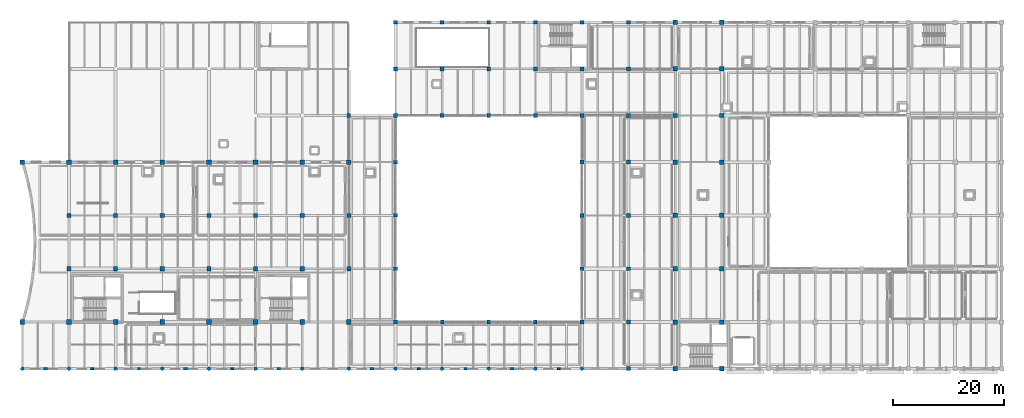
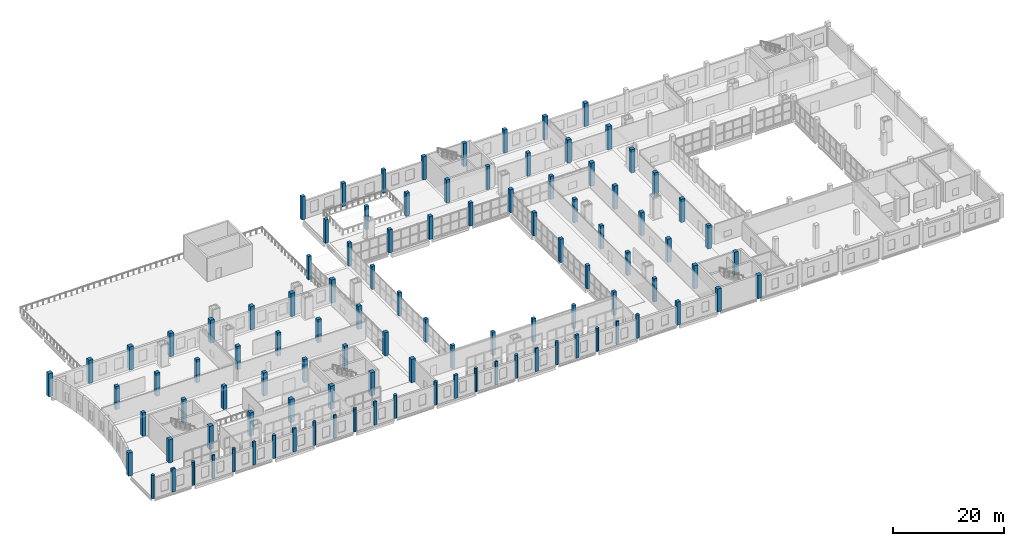
# One storey, part 1 of 73: 105 columns.
"""IFC4 building model written with IfcOpenShell, lengths in metres."""

import ifcopenshell
import ifcopenshell.guid

model = None  # the IFC model being written
_history = None  # IfcOwnerHistory: only IFC2X3 demands one
_inside = {}  # id of a spatial element -> (the spatial element, [elements in it])
_under = {}  # id of a project, library or spatial element -> (it, [spatial elements below it])
_declared = {}  # id of a project -> (the project, [libraries it declares])
_typed = {}  # id of a type object -> (the type object, [elements of that type])
_made_of = {}  # id of a material, layer set ... -> (it, [elements and type objects made of it])


def new_model(schema):
    """Start an empty IFC model of exactly this schema.

    Asked for "IFC4X3", IfcOpenShell would pick the latest addendum, in which some entities
    have other attributes; the version numbers below select the first issue.
    IFC2X3 requires an IfcOwnerHistory on every rooted entity: one is made here for all.
    """
    global model, _history
    if schema == "IFC4X3":
        model = ifcopenshell.file(schema_version=(4, 3, 0, 0))
    else:
        model = ifcopenshell.file(schema=schema)
    _inside.clear()
    _under.clear()
    _declared.clear()
    _typed.clear()
    _made_of.clear()
    _history = None
    if model.schema == "IFC2X3":
        org = make("IfcOrganization", Name="unknown")
        user = make(
            "IfcPersonAndOrganization",
            ThePerson=make("IfcPerson", FamilyName="unknown"),
            TheOrganization=org,
        )
        app = make(
            "IfcApplication",
            ApplicationDeveloper=org,
            Version="unknown",
            ApplicationFullName="unknown",
            ApplicationIdentifier="unknown",
        )
        _history = make(
            "IfcOwnerHistory",
            OwningUser=user,
            OwningApplication=app,
            ChangeAction="ADDED",
            CreationDate=0,
        )
    return model


def make(cls, **values):
    """One entity of the class cls with the attributes given. An attribute that is None is left unset."""
    return model.create_entity(
        cls, **{name: value for name, value in values.items() if value is not None}
    )


def rooted(cls, **values):
    """An entity with a GlobalId (a new one), such as an element, a storey or a relation."""
    return make(cls, GlobalId=ifcopenshell.guid.new(), OwnerHistory=_history, **values)


def si_unit(unit_type, name, prefix=None):
    """IfcSIUnit, for example si_unit("LENGTHUNIT", "METRE", prefix="MILLI")."""
    return make("IfcSIUnit", UnitType=unit_type, Prefix=prefix, Name=name)


def assignment(units):
    """IfcUnitAssignment: the units of a project."""
    return None if units is None else make("IfcUnitAssignment", Units=units)


def point(xyz):
    """IfcCartesianPoint."""
    return None if xyz is None else make("IfcCartesianPoint", Coordinates=xyz)


def direction(xyz):
    """IfcDirection."""
    return None if xyz is None else make("IfcDirection", DirectionRatios=xyz)


def frame(location, z_axis=None, x_axis=None):
    """IfcAxis2Placement3D, a coordinate frame: its origin and axes. An axis left out is left unset."""
    return make(
        "IfcAxis2Placement3D",
        Location=point(location),
        Axis=direction(z_axis),
        RefDirection=direction(x_axis),
    )


def frame_2d(location, x_axis=None):
    """IfcAxis2Placement2D, a coordinate frame in the plane: its origin and x axis."""
    return make(
        "IfcAxis2Placement2D", Location=point(location), RefDirection=direction(x_axis)
    )


def origin():
    """The frame at (0, 0, 0) with its axes left unset."""
    return frame((0.0, 0.0, 0.0))


def origin_2d():
    """The frame at (0, 0) in the plane with its x axis left unset."""
    return frame_2d((0.0, 0.0))


def place(relative_to, where):
    """IfcLocalPlacement: puts the frame where relative to a parent placement (None: the world)."""
    return make(
        "IfcLocalPlacement", PlacementRelTo=relative_to, RelativePlacement=where
    )


def context(
    kind, dimensions, precision=None, world=None, true_north=None, identifier=None
):
    """IfcGeometricRepresentationContext, for example the 3D "Model" context."""
    return make(
        "IfcGeometricRepresentationContext",
        ContextIdentifier=identifier,
        ContextType=kind,
        CoordinateSpaceDimension=dimensions,
        Precision=precision,
        WorldCoordinateSystem=world,
        TrueNorth=true_north,
    )


def subcontext(parent, identifier, kind, view, scale=None):
    """IfcGeometricRepresentationSubContext, for example "Body" below "Model"."""
    return make(
        "IfcGeometricRepresentationSubContext",
        ContextIdentifier=identifier,
        ContextType=kind,
        ParentContext=parent,
        TargetScale=scale,
        TargetView=view,
    )


def project(units=None, contexts=None):
    """IfcProject with its units and contexts."""
    return rooted(
        "IfcProject",
        Name="project",
        RepresentationContexts=contexts,
        UnitsInContext=assignment(units),
    )


def spatial(cls, under=None, at=None, **own):
    """A site, building, storey or space (cls), placed at a placement, below another one or the project."""
    s = rooted(cls, ObjectPlacement=at, **own)
    if under is not None:
        _under.setdefault(under.id(), (under, []))[1].append(s)
    return s


def profile(cls, at=None, kind="AREA", **sizes):
    """A parametric profile (cls). Its sizes go by their IFC names, for example OverallWidth=200.0."""
    return make(cls, ProfileType=kind, Position=at, **sizes)


def rectangle(**sizes):
    """IfcRectangleProfileDef."""
    return profile("IfcRectangleProfileDef", **sizes)


def circle(**sizes):
    """IfcCircleProfileDef."""
    return profile("IfcCircleProfileDef", **sizes)


def extrude(swept, where, along, depth):
    """IfcExtrudedAreaSolid: the profile swept, set in the frame where, extruded along a direction by depth."""
    return make(
        "IfcExtrudedAreaSolid",
        SweptArea=swept,
        Position=where,
        ExtrudedDirection=direction(along),
        Depth=depth,
    )


def shape(context_of_items, identifier, shape_type, items):
    """IfcShapeRepresentation: the items that make up one representation, for example the "Body"."""
    return make(
        "IfcShapeRepresentation",
        ContextOfItems=context_of_items,
        RepresentationIdentifier=identifier,
        RepresentationType=shape_type,
        Items=items,
    )


def material(Name=None, Category=None):
    """IfcMaterial."""
    return make("IfcMaterial", Name=Name, Category=Category)


def material_profile(
    of_material, cross_section, Name=None, Category=None, Priority=None
):
    """IfcMaterialProfile: a cross section and its material."""
    return make(
        "IfcMaterialProfile",
        Name=Name,
        Material=of_material,
        Profile=cross_section,
        Priority=Priority,
        Category=Category,
    )


def profile_set(profiles, Name=None, composite=None):
    """IfcMaterialProfileSet."""
    return make(
        "IfcMaterialProfileSet",
        Name=Name,
        MaterialProfiles=profiles,
        CompositeProfile=composite,
    )


def made_of(thing, what):
    """Note that an element or type object is made of a material, layer set ...; save() writes the relation."""
    if what is not None:
        _made_of.setdefault(what.id(), (what, []))[1].append(thing)
    return thing


def type_object(cls, material=None, **own):
    """A type object (cls), such as IfcWallType, which elements share."""
    return made_of(rooted(cls, **own), material)


def element(
    cls,
    number,
    at=None,
    inside=None,
    cuts=None,
    type_object=None,
    material=None,
    context=None,
    identifier="Body",
    shape_type=None,
    held_by="IfcProductDefinitionShape",
    body=None,
    shapes=None,
    **own,
):
    """One element of the class cls, such as IfcWall. Its Tag is "e" and its number.

    at: its placement. inside: the storey or other place that contains it. cuts: it is an
    opening in that element (IfcRelVoidsElement). A single representation is given by context,
    identifier, shape_type and body (its items); several are given by shapes. held_by: the class
    of the entity that holds the representations. save() writes the other relations.
    """
    e = rooted(cls, Tag="e%d" % number, ObjectPlacement=at, **own)
    if body is not None:
        shapes = [shape(context, identifier, shape_type, body)]
    if shapes is not None:
        e.Representation = make(held_by, Representations=shapes)
    if inside is not None:
        _inside.setdefault(inside.id(), (inside, []))[1].append(e)
    if cuts is not None:
        rooted(
            "IfcRelVoidsElement", RelatingBuildingElement=cuts, RelatedOpeningElement=e
        )
    if type_object is not None:
        _typed.setdefault(type_object.id(), (type_object, []))[1].append(e)
    return made_of(e, material)


def aggregate(whole, parts):
    """IfcRelAggregates: a whole, such as a stair, and the parts it consists of."""
    return rooted("IfcRelAggregates", RelatingObject=whole, RelatedObjects=parts)


def save(model, path):
    """Write the relations noted so far, then the file.

    IfcRelAggregates (storeys below a building ...), IfcRelContainedInSpatialStructure (elements
    in a storey), IfcRelDefinesByType, IfcRelAssociatesMaterial and IfcRelDeclares: one each for
    every whole, place, type object, material and project.
    """
    for whole, parts in _under.values():
        aggregate(whole, parts)
    for where, things in _inside.values():
        rooted(
            "IfcRelContainedInSpatialStructure",
            RelatedElements=things,
            RelatingStructure=where,
        )
    for kind, things in _typed.values():
        rooted("IfcRelDefinesByType", RelatedObjects=things, RelatingType=kind)
    for what, things in _made_of.values():
        rooted("IfcRelAssociatesMaterial", RelatedObjects=things, RelatingMaterial=what)
    for by, libraries in _declared.values():
        rooted("IfcRelDeclares", RelatingContext=by, RelatedDefinitions=libraries)
    model.write(path)


model = new_model("IFC4")

# Units and contexts
model_context = context("Model", 3, precision=1e-05, world=origin(), true_north=direction((0.0, 1.0)))
body_context = subcontext(model_context, "Body", "Model", "MODEL_VIEW")
ifc_project = project(units=[si_unit("LENGTHUNIT", "METRE"), si_unit("AREAUNIT", "SQUARE_METRE"), si_unit("VOLUMEUNIT", "CUBIC_METRE"), si_unit("PLANEANGLEUNIT", "RADIAN"), si_unit("MASSUNIT", "GRAM", prefix="KILO")], contexts=[model_context])

# Site, building, storey
site_placement = place(None, origin())
site = spatial("IfcSite", under=ifc_project, at=site_placement, CompositionType="ELEMENT")
building_placement = place(site_placement, origin())
building = spatial("IfcBuilding", under=site, at=building_placement, Name="Zulmaris Art Gallery", CompositionType="ELEMENT")
storey_placement = place(building_placement, frame((0.0, 0.0, 10.5)))
storey = spatial("IfcBuildingStorey", under=building, at=storey_placement, Name="L02", CompositionType="ELEMENT", Elevation=10.5)

# Columns
ifc_material_1 = material(Name="Concrete C40/50", Category="concrete")
ifc_material_profile_1 = material_profile(ifc_material_1, circle(Radius=0.324951171875, at=origin_2d()), Name="COL DIA 650")
ifc_profile_set_1 = profile_set([ifc_material_profile_1], Name="Concrete C40/50")
column_type_1 = type_object("IfcColumnType", Name="COL-COL-DIA-650", PredefinedType="COLUMN", material=ifc_profile_set_1)
for number, where, z_axis, x_axis, name in (
    (1, (24.0, 13.199951171875, 0.0), (0.0, 0.0, 1.0), (1.0, 0.0, 0.0), "L02 structural column (24.0, 13.2)"),
    (2, (32.39990234375, 13.199951171875, 0.0), (0.0, 0.0, 1.0), (1.0, 0.0, 0.0), "L02 structural column (32.4, 13.2)"),
    (3, (40.800048828125, 13.199951171875, 0.0), (0.0, 0.0, 1.0), (1.0, 0.0, 0.0), "L02 structural column (40.8, 13.2)"),
    (4, (49.199951171875, 13.199951171875, 0.0), (0.0, 0.0, 1.0), (1.0, 0.0, 0.0), "L02 structural column (49.2, 13.2)"),
    (5, (57.60009765625, 13.199951171875, 0.0), (0.0, 0.0, 1.0), (1.0, 0.0, 0.0), "L02 structural column (57.6, 13.2)"),
    (6, (66.0, 13.199951171875, 0.0), (0.0, 0.0, 1.0), (1.0, 0.0, 0.0), "L02 structural column (66.0, 13.2)"),
    (7, (74.39990234375, 13.199951171875, 0.0), (0.0, 0.0, 1.0), (1.0, 0.0, 0.0), "L02 structural column (74.4, 13.2)"),
    (8, (82.800048828125, 13.199951171875, 0.0), (0.0, 0.0, 1.0), (1.0, 0.0, 0.0), "L02 structural column (82.8, 13.2)"),
    (9, (91.199951171875, 13.199951171875, 0.0), (0.0, 0.0, 1.0), (1.0, 0.0, 0.0), "L02 structural column (91.2, 13.2)"),
    (10, (99.60009765625, 13.199951171875, 0.0), (0.0, 0.0, 1.0), (1.0, 0.0, 0.0), "L02 structural column (99.6, 13.2)"),
    (11, (108.0, 13.199951171875, 0.0), (0.0, 0.0, 1.0), (1.0, 0.0, 0.0), "L02 structural column (108.0, 13.2)"),
    (12, (116.39990234375, 13.199951171875, 0.0), (0.0, 0.0, 1.0), (1.0, 0.0, 0.0), "L02 structural column (116.4, 13.2)"),
    (13, (124.800048828125, 13.199951171875, 0.0), (0.0, 0.0, 1.0), (1.0, 0.0, 0.0), "L02 structural column (124.8, 13.2)"),
):
    element("IfcColumn", number, at=place(storey_placement, frame(where, z_axis=z_axis, x_axis=x_axis)), inside=storey, type_object=column_type_1, Name=name, PredefinedType="COLUMN", context=body_context, shape_type="SweptSolid", body=[
        extrude(circle(Radius=0.324951171875, at=origin_2d()), origin(), (0.0, 0.0, 1.0), 5.10009765625),
    ])
ifc_material_profile_2 = material_profile(ifc_material_1, rectangle(XDim=0.64990234375, YDim=0.64990234375, at=origin_2d()), Name="RC 650x650")
ifc_profile_set_2 = profile_set([ifc_material_profile_2], Name="Concrete C40/50")
column_type_2 = type_object("IfcColumnType", Name="COL-RC-650x650", PredefinedType="COLUMN", material=ifc_profile_set_2)
for number, where, z_axis, x_axis, name in (
    (14, (82.800048828125, 58.800048828125, 0.0), (0.0, 0.0, 1.0), (1.0, 0.0, 0.0), "L02 structural column (82.8, 58.8)"),
    (15, (91.199951171875, 21.60009765625, 0.0), (0.0, 0.0, 1.0), (1.0, 0.0, 0.0), "L02 structural column (91.2, 21.6)"),
    (16, (91.199951171875, 31.199951171875, 0.0), (0.0, 0.0, 1.0), (1.0, 0.0, 0.0), "L02 structural column (91.2, 31.2)"),
    (17, (91.199951171875, 40.800048828125, 0.0), (0.0, 0.0, 1.0), (1.0, 0.0, 0.0), "L02 structural column (91.2, 40.8)"),
    (18, (91.199951171875, 50.39990234375, 0.0), (0.0, 0.0, 1.0), (1.0, 0.0, 0.0), "L02 structural column (91.2, 50.4)"),
    (19, (91.199951171875, 58.800048828125, 0.0), (0.0, 0.0, 1.0), (1.0, 0.0, 0.0), "L02 structural column (91.2, 58.8)"),
    (20, (99.60009765625, 21.60009765625, 0.0), (0.0, 0.0, 1.0), (1.0, 0.0, 0.0), "L02 structural column (99.6, 21.6)"),
    (21, (108.0, 21.60009765625, 0.0), (0.0, 0.0, 1.0), (1.0, 0.0, 0.0), "L02 structural column (108.0, 21.6)"),
    (22, (116.39990234375, 21.60009765625, 0.0), (0.0, 0.0, 1.0), (1.0, 0.0, 0.0), "L02 structural column (116.4, 21.6)"),
    (23, (124.800048828125, 21.60009765625, 0.0), (0.0, 0.0, 1.0), (1.0, 0.0, 0.0), "L02 structural column (124.8, 21.6)"),
):
    element("IfcColumn", number, at=place(storey_placement, frame(where, z_axis=z_axis, x_axis=x_axis)), inside=storey, type_object=column_type_2, Name=name, PredefinedType="COLUMN", context=body_context, shape_type="SweptSolid", body=[
        extrude(rectangle(XDim=0.64990234375, YDim=0.64990234375, at=origin_2d()), origin(), (0.0, 0.0, 1.0), 5.10009765625),
    ])
ifc_material_profile_3 = material_profile(ifc_material_1, rectangle(XDim=0.699951171875, YDim=0.699951171875, at=origin_2d()), Name="RC 700x700")
ifc_profile_set_3 = profile_set([ifc_material_profile_3], Name="Concrete C40/50")
column_type_3 = type_object("IfcColumnType", Name="COL-RC-700x700", PredefinedType="COLUMN", material=ifc_profile_set_3)
for number, where, z_axis, x_axis, name in (
    (24, (91.199951171875, 67.199951171875, 0.0), (0.0, 0.0, 1.0), (1.0, 0.0, 0.0), "L02 structural column (91.2, 67.2)"),
    (25, (91.199951171875, 75.60009765625, 0.0), (0.0, 0.0, 1.0), (1.0, 0.0, 0.0), "L02 structural column (91.2, 75.6)"),
    (26, (99.60009765625, 58.800048828125, 0.0), (0.0, 0.0, 1.0), (1.0, 0.0, 0.0), "L02 structural column (99.6, 58.8)"),
    (27, (99.60009765625, 67.199951171875, 0.0), (0.0, 0.0, 1.0), (1.0, 0.0, 0.0), "L02 structural column (99.6, 67.2)"),
    (28, (99.60009765625, 75.60009765625, 0.0), (0.0, 0.0, 1.0), (1.0, 0.0, 0.0), "L02 structural column (99.6, 75.6)"),
    (29, (108.0, 58.800048828125, 0.0), (0.0, 0.0, 1.0), (1.0, 0.0, 0.0), "L02 structural column (108.0, 58.8)"),
    (30, (108.0, 67.199951171875, 0.0), (0.0, 0.0, 1.0), (1.0, 0.0, 0.0), "L02 structural column (108.0, 67.2)"),
    (31, (108.0, 75.60009765625, 0.0), (0.0, 0.0, 1.0), (1.0, 0.0, 0.0), "L02 structural column (108.0, 75.6)"),
    (32, (116.39990234375, 58.800048828125, 0.0), (0.0, 0.0, 1.0), (1.0, 0.0, 0.0), "L02 structural column (116.4, 58.8)"),
    (33, (116.39990234375, 67.199951171875, 0.0), (0.0, 0.0, 1.0), (1.0, 0.0, 0.0), "L02 structural column (116.4, 67.2)"),
    (34, (116.39990234375, 75.60009765625, 0.0), (0.0, 0.0, 1.0), (1.0, 0.0, 0.0), "L02 structural column (116.4, 75.6)"),
    (35, (124.800048828125, 31.199951171875, 0.0), (0.0, 0.0, 1.0), (1.0, 0.0, 0.0), "L02 structural column (124.8, 31.2)"),
    (36, (124.800048828125, 40.800048828125, 0.0), (0.0, 0.0, 1.0), (1.0, 0.0, 0.0), "L02 structural column (124.8, 40.8)"),
    (37, (124.800048828125, 50.39990234375, 0.0), (0.0, 0.0, 1.0), (1.0, 0.0, 0.0), "L02 structural column (124.8, 50.4)"),
    (38, (124.800048828125, 58.800048828125, 0.0), (0.0, 0.0, 1.0), (1.0, 0.0, 0.0), "L02 structural column (124.8, 58.8)"),
    (39, (124.800048828125, 67.199951171875, 0.0), (0.0, 0.0, 1.0), (1.0, 0.0, 0.0), "L02 structural column (124.8, 67.2)"),
    (40, (124.800048828125, 75.60009765625, 0.0), (0.0, 0.0, 1.0), (1.0, 0.0, 0.0), "L02 structural column (124.8, 75.6)"),
    (41, (133.199951171875, 13.199951171875, 0.0), (0.0, 0.0, 1.0), (1.0, 0.0, 0.0), "L02 structural column (133.2, 13.2)"),
    (42, (133.199951171875, 21.60009765625, 0.0), (0.0, 0.0, 1.0), (1.0, 0.0, 0.0), "L02 structural column (133.2, 21.6)"),
    (43, (133.199951171875, 31.199951171875, 0.0), (0.0, 0.0, 1.0), (1.0, 0.0, 0.0), "L02 structural column (133.2, 31.2)"),
    (44, (133.199951171875, 40.800048828125, 0.0), (0.0, 0.0, 1.0), (1.0, 0.0, 0.0), "L02 structural column (133.2, 40.8)"),
    (45, (133.199951171875, 50.39990234375, 0.0), (0.0, 0.0, 1.0), (1.0, 0.0, 0.0), "L02 structural column (133.2, 50.4)"),
    (46, (133.199951171875, 58.800048828125, 0.0), (0.0, 0.0, 1.0), (1.0, 0.0, 0.0), "L02 structural column (133.2, 58.8)"),
    (47, (133.199951171875, 67.199951171875, 0.0), (0.0, 0.0, 1.0), (1.0, 0.0, 0.0), "L02 structural column (133.2, 67.2)"),
    (48, (133.199951171875, 75.60009765625, 0.0), (0.0, 0.0, 1.0), (1.0, 0.0, 0.0), "L02 structural column (133.2, 75.6)"),
):
    element("IfcColumn", number, at=place(storey_placement, frame(where, z_axis=z_axis, x_axis=x_axis)), inside=storey, type_object=column_type_3, Name=name, PredefinedType="COLUMN", context=body_context, shape_type="SweptSolid", body=[
        extrude(rectangle(XDim=0.699951171875, YDim=0.699951171875, at=origin_2d()), origin(), (0.0, 0.0, 1.0), 5.10009765625),
    ])
ifc_material_profile_4 = material_profile(ifc_material_1, rectangle(XDim=0.75, YDim=0.75, at=origin_2d()), Name="RC 750x750")
ifc_profile_set_4 = profile_set([ifc_material_profile_4], Name="Concrete C40/50")
column_type_4 = type_object("IfcColumnType", Name="COL-RC-750x750", PredefinedType="COLUMN", material=ifc_profile_set_4)
for number, where, z_axis, x_axis, name in (
    (49, (32.39990234375, 31.199951171875, 0.0), (0.0, 0.0, 1.0), (1.0, 0.0, 0.0), "L02 structural column (32.4, 31.2)"),
    (50, (32.39990234375, 40.800048828125, 0.0), (0.0, 0.0, 1.0), (1.0, 0.0, 0.0), "L02 structural column (32.4, 40.8)"),
    (51, (40.800048828125, 31.199951171875, 0.0), (0.0, 0.0, 1.0), (1.0, 0.0, 0.0), "L02 structural column (40.8, 31.2)"),
    (52, (40.800048828125, 40.800048828125, 0.0), (0.0, 0.0, 1.0), (1.0, 0.0, 0.0), "L02 structural column (40.8, 40.8)"),
    (53, (49.199951171875, 31.199951171875, 0.0), (0.0, 0.0, 1.0), (1.0, 0.0, 0.0), "L02 structural column (49.2, 31.2)"),
    (54, (49.199951171875, 40.800048828125, 0.0), (0.0, 0.0, 1.0), (1.0, 0.0, 0.0), "L02 structural column (49.2, 40.8)"),
    (55, (57.60009765625, 31.199951171875, 0.0), (0.0, 0.0, 1.0), (1.0, 0.0, 0.0), "L02 structural column (57.6, 31.2)"),
    (56, (57.60009765625, 40.800048828125, 0.0), (0.0, 0.0, 1.0), (1.0, 0.0, 0.0), "L02 structural column (57.6, 40.8)"),
    (57, (66.0, 31.199951171875, 0.0), (0.0, 0.0, 1.0), (1.0, 0.0, 0.0), "L02 structural column (66.0, 31.2)"),
    (58, (66.0, 40.800048828125, 0.0), (0.0, 0.0, 1.0), (1.0, 0.0, 0.0), "L02 structural column (66.0, 40.8)"),
    (59, (74.39990234375, 31.199951171875, 0.0), (0.0, 0.0, 1.0), (1.0, 0.0, 0.0), "L02 structural column (74.4, 31.2)"),
    (60, (74.39990234375, 40.800048828125, 0.0), (0.0, 0.0, 1.0), (1.0, 0.0, 0.0), "L02 structural column (74.4, 40.8)"),
    (61, (82.800048828125, 31.199951171875, 0.0), (0.0, 0.0, 1.0), (1.0, 0.0, 0.0), "L02 structural column (82.8, 31.2)"),
    (62, (82.800048828125, 40.800048828125, 0.0), (0.0, 0.0, 1.0), (1.0, 0.0, 0.0), "L02 structural column (82.8, 40.8)"),
):
    element("IfcColumn", number, at=place(storey_placement, frame(where, z_axis=z_axis, x_axis=x_axis)), inside=storey, type_object=column_type_4, Name=name, PredefinedType="COLUMN", context=body_context, shape_type="SweptSolid", body=[
        extrude(rectangle(XDim=0.75, YDim=0.75, at=origin_2d()), origin(), (0.0, 0.0, 1.0), 5.10009765625),
    ])
ifc_material_profile_5 = material_profile(ifc_material_1, rectangle(XDim=0.800048828125, YDim=0.800048828125, at=origin_2d()), Name="RC 800x800")
ifc_profile_set_5 = profile_set([ifc_material_profile_5], Name="Concrete C40/50")
column_type_5 = type_object("IfcColumnType", Name="COL-RC-800x800", PredefinedType="COLUMN", material=ifc_profile_set_5)
for number, where, z_axis, x_axis, name in (
    (63, (141.60009765625, 13.199951171875, 0.0), (0.0, 0.0, 1.0), (1.0, 0.0, 0.0), "L02 structural column (141.6, 13.2)"),
    (64, (141.60009765625, 21.60009765625, 0.0), (0.0, 0.0, 1.0), (1.0, 0.0, 0.0), "L02 structural column (141.6, 21.6)"),
    (65, (141.60009765625, 31.199951171875, 0.0), (0.0, 0.0, 1.0), (1.0, 0.0, 0.0), "L02 structural column (141.6, 31.2)"),
    (66, (141.60009765625, 40.800048828125, 0.0), (0.0, 0.0, 1.0), (1.0, 0.0, 0.0), "L02 structural column (141.6, 40.8)"),
    (67, (141.60009765625, 50.39990234375, 0.0), (0.0, 0.0, 1.0), (1.0, 0.0, 0.0), "L02 structural column (141.6, 50.4)"),
    (68, (141.60009765625, 58.800048828125, 0.0), (0.0, 0.0, 1.0), (1.0, 0.0, 0.0), "L02 structural column (141.6, 58.8)"),
    (69, (141.60009765625, 67.199951171875, 0.0), (0.0, 0.0, 1.0), (1.0, 0.0, 0.0), "L02 structural column (141.6, 67.2)"),
    (70, (141.60009765625, 75.60009765625, 0.0), (0.0, 0.0, 1.0), (1.0, 0.0, 0.0), "L02 structural column (141.6, 75.6)"),
    (71, (150.0, 13.199951171875, 0.0), (0.0, 0.0, 1.0), (1.0, 0.0, 0.0), "L02 structural column (150.0, 13.2)"),
    (72, (150.0, 21.60009765625, 0.0), (0.0, 0.0, 1.0), (1.0, 0.0, 0.0), "L02 structural column (150.0, 21.6)"),
    (73, (150.0, 31.199951171875, 0.0), (0.0, 0.0, 1.0), (1.0, 0.0, 0.0), "L02 structural column (150.0, 31.2)"),
    (74, (150.0, 40.800048828125, 0.0), (0.0, 0.0, 1.0), (1.0, 0.0, 0.0), "L02 structural column (150.0, 40.8)"),
    (75, (150.0, 50.39990234375, 0.0), (0.0, 0.0, 1.0), (1.0, 0.0, 0.0), "L02 structural column (150.0, 50.4)"),
    (76, (150.0, 58.800048828125, 0.0), (0.0, 0.0, 1.0), (1.0, 0.0, 0.0), "L02 structural column (150.0, 58.8)"),
    (77, (150.0, 67.199951171875, 0.0), (0.0, 0.0, 1.0), (1.0, 0.0, 0.0), "L02 structural column (150.0, 67.2)"),
    (78, (150.0, 75.60009765625, 0.0), (0.0, 0.0, 1.0), (1.0, 0.0, 0.0), "L02 structural column (150.0, 75.6)"),
):
    element("IfcColumn", number, at=place(storey_placement, frame(where, z_axis=z_axis, x_axis=x_axis)), inside=storey, type_object=column_type_5, Name=name, PredefinedType="COLUMN", context=body_context, shape_type="SweptSolid", body=[
        extrude(rectangle(XDim=0.800048828125, YDim=0.800048828125, at=origin_2d()), origin(), (0.0, 0.0, 1.0), 5.10009765625),
    ])
ifc_material_2 = material(Name="Concrete C50/60", Category="concrete")
ifc_material_profile_6 = material_profile(ifc_material_2, rectangle(XDim=0.85009765625, YDim=0.85009765625, at=origin_2d()), Name="RC 850x850")
ifc_profile_set_6 = profile_set([ifc_material_profile_6], Name="Concrete C50/60")
column_type_6 = type_object("IfcColumnType", Name="COL-RC-850x850", PredefinedType="COLUMN", material=ifc_profile_set_6)
for number, where, z_axis, x_axis, name in (
    (79, (24.0, 21.60009765625, 0.0), (0.0, 0.0, 1.0), (1.0, 0.0, 0.0), "L02 structural column (24.0, 21.6)"),
    (80, (24.0, 50.39990234375, 0.0), (0.0, 0.0, 1.0), (1.0, 0.0, 0.0), "L02 structural column (24.0, 50.4)"),
    (81, (32.39990234375, 21.60009765625, 0.0), (0.0, 0.0, 1.0), (1.0, 0.0, 0.0), "L02 structural column (32.4, 21.6)"),
    (82, (32.39990234375, 50.39990234375, 0.0), (0.0, 0.0, 1.0), (1.0, 0.0, 0.0), "L02 structural column (32.4, 50.4)"),
    (83, (40.800048828125, 21.60009765625, 0.0), (0.0, 0.0, 1.0), (1.0, 0.0, 0.0), "L02 structural column (40.8, 21.6)"),
    (84, (40.800048828125, 50.39990234375, 0.0), (0.0, 0.0, 1.0), (1.0, 0.0, 0.0), "L02 structural column (40.8, 50.4)"),
    (85, (49.199951171875, 21.60009765625, 0.0), (0.0, 0.0, 1.0), (1.0, 0.0, 0.0), "L02 structural column (49.2, 21.6)"),
    (86, (49.199951171875, 50.39990234375, 0.0), (0.0, 0.0, 1.0), (1.0, 0.0, 0.0), "L02 structural column (49.2, 50.4)"),
    (87, (57.60009765625, 21.60009765625, 0.0), (0.0, 0.0, 1.0), (1.0, 0.0, 0.0), "L02 structural column (57.6, 21.6)"),
    (88, (57.60009765625, 50.39990234375, 0.0), (0.0, 0.0, 1.0), (1.0, 0.0, 0.0), "L02 structural column (57.6, 50.4)"),
    (89, (66.0, 21.60009765625, 0.0), (0.0, 0.0, 1.0), (1.0, 0.0, 0.0), "L02 structural column (66.0, 21.6)"),
    (90, (66.0, 50.39990234375, 0.0), (0.0, 0.0, 1.0), (1.0, 0.0, 0.0), "L02 structural column (66.0, 50.4)"),
    (91, (74.39990234375, 21.60009765625, 0.0), (0.0, 0.0, 1.0), (1.0, 0.0, 0.0), "L02 structural column (74.4, 21.6)"),
    (92, (74.39990234375, 50.39990234375, 0.0), (0.0, 0.0, 1.0), (1.0, 0.0, 0.0), "L02 structural column (74.4, 50.4)"),
    (93, (82.800048828125, 21.60009765625, 0.0), (0.0, 0.0, 1.0), (1.0, 0.0, 0.0), "L02 structural column (82.8, 21.6)"),
    (94, (82.800048828125, 50.39990234375, 0.0), (0.0, 0.0, 1.0), (1.0, 0.0, 0.0), "L02 structural column (82.8, 50.4)"),
):
    element("IfcColumn", number, at=place(storey_placement, frame(where, z_axis=z_axis, x_axis=x_axis)), inside=storey, type_object=column_type_6, Name=name, PredefinedType="COLUMN", context=body_context, shape_type="SweptSolid", body=[
        extrude(rectangle(XDim=0.85009765625, YDim=0.85009765625, at=origin_2d()), origin(), (0.0, 0.0, 1.0), 5.10009765625),
    ])
ifc_material_profile_7 = material_profile(ifc_material_1, rectangle(XDim=0.5, YDim=0.35009765625, at=origin_2d()), Name="PIL 500x350")
ifc_profile_set_7 = profile_set([ifc_material_profile_7], Name="Concrete C40/50")
column_type_7 = type_object("IfcColumnType", Name="PILASTER-01", PredefinedType="PILASTER", material=ifc_profile_set_7)
for number, where, z_axis, x_axis, name in (
    (95, (36.60009765625, 13.199951171875, 0.0), (0.0, 0.0, 1.0), (1.0, 0.0, 0.0), "L02 fluted limestone pilaster 2"),
    (96, (61.800048828125, 13.199951171875, 0.0), (0.0, 0.0, 1.0), (1.0, 0.0, 0.0), "L02 fluted limestone pilaster 5"),
    (97, (95.39990234375, 13.199951171875, 0.0), (0.0, 0.0, 1.0), (1.0, 0.0, 0.0), "L02 fluted limestone pilaster 8"),
    (98, (120.60009765625, 13.199951171875, 0.0), (0.0, 0.0, 1.0), (1.0, 0.0, 0.0), "L02 fluted limestone pilaster 11"),
):
    element("IfcColumn", number, at=place(storey_placement, frame(where, z_axis=z_axis, x_axis=x_axis)), inside=storey, type_object=column_type_7, Name=name, PredefinedType="PILASTER", context=body_context, shape_type="SweptSolid", body=[
        extrude(rectangle(XDim=0.5, YDim=0.35009765625, at=origin_2d()), origin(), (0.0, 0.0, 1.0), 5.10009765625),
    ])
ifc_material_profile_8 = material_profile(ifc_material_1, rectangle(XDim=0.60009765625, YDim=0.39990234375, at=origin_2d()), Name="PIL 600x400")
ifc_profile_set_8 = profile_set([ifc_material_profile_8], Name="Concrete C40/50")
column_type_8 = type_object("IfcColumnType", Name="PILASTER-02", PredefinedType="PILASTER", material=ifc_profile_set_8)
for number, where, z_axis, x_axis, name in (
    (99, (45.0, 13.199951171875, 0.0), (0.0, 0.0, 1.0), (1.0, 0.0, 0.0), "L02 fluted limestone pilaster 3"),
    (100, (70.199951171875, 13.199951171875, 0.0), (0.0, 0.0, 1.0), (1.0, 0.0, 0.0), "L02 fluted limestone pilaster 6"),
    (101, (103.800048828125, 13.199951171875, 0.0), (0.0, 0.0, 1.0), (1.0, 0.0, 0.0), "L02 fluted limestone pilaster 9"),
):
    element("IfcColumn", number, at=place(storey_placement, frame(where, z_axis=z_axis, x_axis=x_axis)), inside=storey, type_object=column_type_8, Name=name, PredefinedType="PILASTER", context=body_context, shape_type="SweptSolid", body=[
        extrude(rectangle(XDim=0.60009765625, YDim=0.39990234375, at=origin_2d()), origin(), (0.0, 0.0, 1.0), 5.10009765625),
    ])
ifc_material_profile_9 = material_profile(ifc_material_1, rectangle(XDim=0.699951171875, YDim=0.449951171875, at=origin_2d()), Name="PIL 700x450")
ifc_profile_set_9 = profile_set([ifc_material_profile_9], Name="Concrete C40/50")
column_type_9 = type_object("IfcColumnType", Name="PILASTER-03", PredefinedType="PILASTER", material=ifc_profile_set_9)
for number, where, z_axis, x_axis, name in (
    (102, (28.199951171875, 13.199951171875, 0.0), (0.0, 0.0, 1.0), (1.0, 0.0, 0.0), "L02 fluted limestone pilaster 1"),
    (103, (53.39990234375, 13.199951171875, 0.0), (0.0, 0.0, 1.0), (1.0, 0.0, 0.0), "L02 fluted limestone pilaster 4"),
    (104, (87.0, 13.199951171875, 0.0), (0.0, 0.0, 1.0), (1.0, 0.0, 0.0), "L02 fluted limestone pilaster 7"),
    (105, (112.199951171875, 13.199951171875, 0.0), (0.0, 0.0, 1.0), (1.0, 0.0, 0.0), "L02 fluted limestone pilaster 10"),
):
    element("IfcColumn", number, at=place(storey_placement, frame(where, z_axis=z_axis, x_axis=x_axis)), inside=storey, type_object=column_type_9, Name=name, PredefinedType="PILASTER", context=body_context, shape_type="SweptSolid", body=[
        extrude(rectangle(XDim=0.699951171875, YDim=0.449951171875, at=origin_2d()), origin(), (0.0, 0.0, 1.0), 5.10009765625),
    ])

save(model, "model.ifc")
